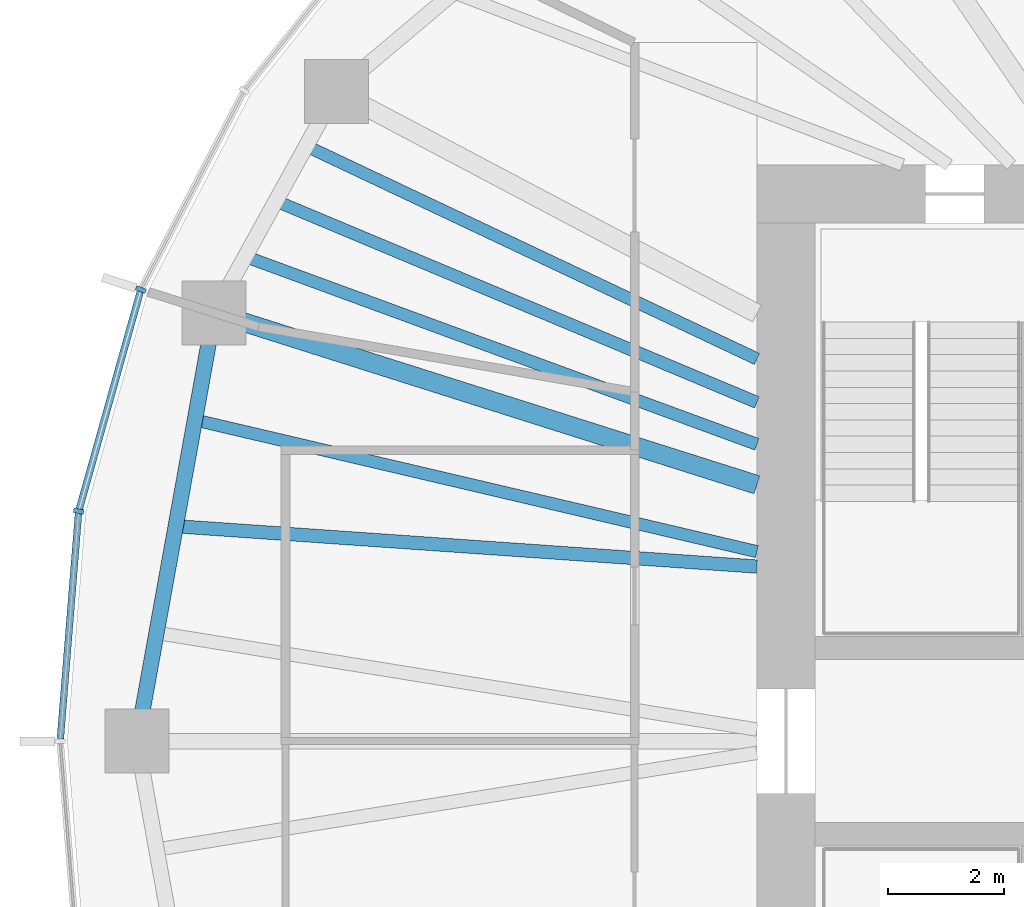
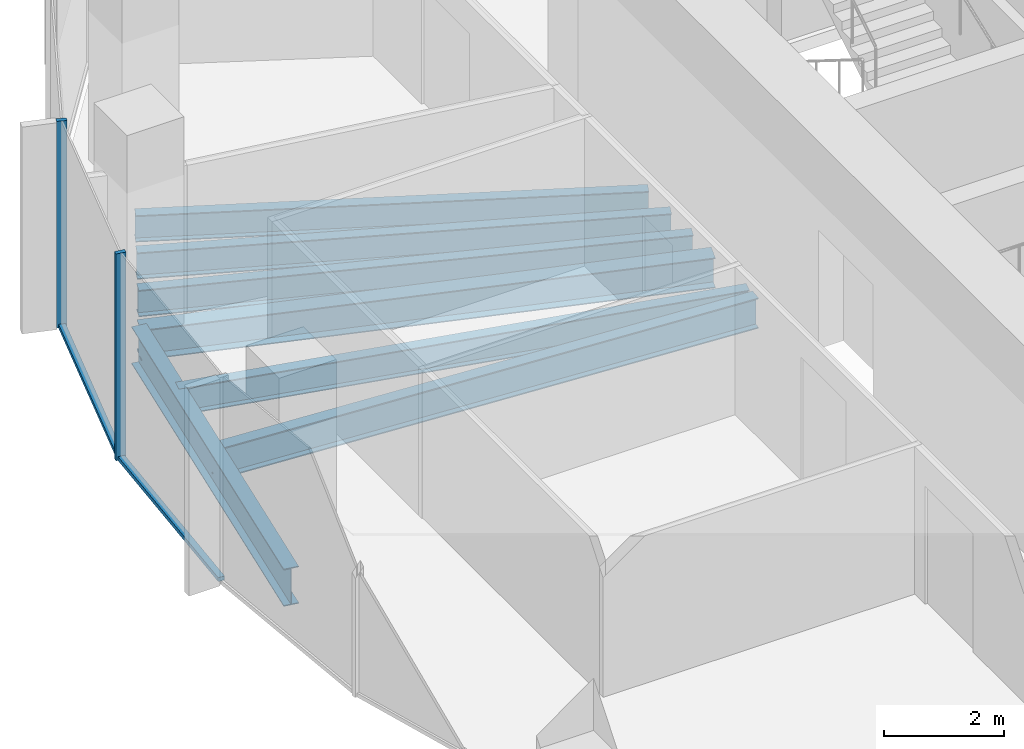
# One storey, part 3 of 11: 7 beams, 4 members, 1 element without a shape of its own.
"""IFC4 building model written with IfcOpenShell, lengths in metres."""

from ifc_helpers import new_model, si_unit, direction, frame, origin, origin_2d, place, context, subcontext, project, spatial, rectangle, i_section, extrude, material, material_profile, profile_set, type_object, element, aggregate, save


model = new_model("IFC4")

# Units and contexts
model_context = context("Model", 3, precision=1e-05, world=origin(), true_north=direction((0.0, 1.0)))
body_context = subcontext(model_context, "Body", "Model", "MODEL_VIEW")
ifc_project = project(units=[si_unit("LENGTHUNIT", "METRE"), si_unit("AREAUNIT", "SQUARE_METRE"), si_unit("VOLUMEUNIT", "CUBIC_METRE"), si_unit("PLANEANGLEUNIT", "RADIAN"), si_unit("MASSUNIT", "GRAM", prefix="KILO")], contexts=[model_context])

# Site, building, storey
site_placement = place(None, origin())
site = spatial("IfcSite", under=ifc_project, at=site_placement, CompositionType="ELEMENT")
building_placement = place(site_placement, origin())
building = spatial("IfcBuilding", under=site, at=building_placement, Name="Ghaith Harvest Tower", CompositionType="ELEMENT")
storey_placement = place(building_placement, frame((0.0, 0.0, 288.0)))
storey = spatial("IfcBuildingStorey", under=building, at=storey_placement, Name="L64", CompositionType="ELEMENT", Elevation=288.0)

# Curtain wall, members
ifc_material_1 = material(Name="Black anodised aluminium and fritted glass", Category="aluminium")
curtain_wall_type = type_object("IfcCurtainWallType", Name="CW-T CURTAIN WALL", PredefinedType="NOTDEFINED", material=ifc_material_1)
curtain_wall_placement = place(storey_placement, origin())
curtain_wall = element("IfcCurtainWall", 1, at=curtain_wall_placement, inside=storey, type_object=curtain_wall_type, Name="Curtain wall CW-T bay 10 L64", PredefinedType="NOTDEFINED")
ifc_material_2 = material(Name="Aluminium, black anodised", Category="aluminium")
ifc_material_profile_1 = material_profile(ifc_material_2, rectangle(XDim=0.080078125, YDim=0.179931640625, at=origin_2d()), Name="CW-T MULLION 80x180")
ifc_profile_set_1 = profile_set([ifc_material_profile_1], Name="Aluminium, black anodised")
member_type_1 = type_object("IfcMemberType", Name="CW-T MULLION 80x180", PredefinedType="MULLION", material=ifc_profile_set_1)
member_1_placement = place(storey_placement, frame((-24.482666015625, 7.759033203125, 0.0), z_axis=(0.0, 0.0, 1.0), x_axis=(-0.366473104961, -0.930428644948, 0.0)))
member_1 = element("IfcMember", 2, at=member_1_placement, type_object=member_type_1, Name="CW-T mullion 1 bay 10 L64", PredefinedType="MULLION", context=body_context, shape_type="SweptSolid", body=[
    extrude(rectangle(XDim=0.080078125, YDim=0.179931640625, at=origin_2d()), origin(), (0.0, 0.0, 1.0), 4.199951171875),
])
member_2_placement = place(storey_placement, frame((-25.5517578125, 3.9521484375, 0.0), z_axis=(0.0, 0.0, 1.0), x_axis=(-0.176001390642, -0.984389917915, 0.0)))
member_2 = element("IfcMember", 3, at=member_2_placement, type_object=member_type_1, Name="CW-T mullion 2 bay 10 L64", PredefinedType="MULLION", context=body_context, shape_type="SweptSolid", body=[
    extrude(rectangle(XDim=0.080078125, YDim=0.179931640625, at=origin_2d()), origin(), (0.0, 0.0, 1.0), 4.199951171875),
])
ifc_material_3 = material(Name="Aluminium, black anodised", Category="aluminium")
ifc_material_profile_2 = material_profile(ifc_material_3, rectangle(XDim=0.1201171875, YDim=0.080078125, at=origin_2d()), Name="CW-T TRANSOM 120x80")
ifc_profile_set_2 = profile_set([ifc_material_profile_2], Name="Aluminium, black anodised")
member_type_2 = type_object("IfcMemberType", Name="CW-T TRANSOM 120x80", PredefinedType="USERDEFINED", material=ifc_profile_set_2)
member_3_placement = place(storey_placement, frame((-24.49365234375, 7.720458984375, 0.0400390625), z_axis=(-0.270340422972, -0.962764797709, 0.0), x_axis=(0.962764797709, -0.270340422972, 0.0)))
member_3 = element("IfcMember", 4, at=member_3_placement, type_object=member_type_2, Name="CW-T transom 1 bay 10 L64", ObjectType="TRANSOM", PredefinedType="USERDEFINED", context=body_context, shape_type="SweptSolid", body=[
    extrude(rectangle(XDim=0.1201171875, YDim=0.080078125, at=origin_2d()), origin(), (0.0, 0.0, 1.0), 3.874267578125),
])
member_4_placement = place(storey_placement, frame((-25.554931640625, 3.912109375, 0.0400390625), z_axis=(-0.08025226314, -0.996774585481, 0.0), x_axis=(0.996774585481, -0.08025226314, 0.0)))
member_4 = element("IfcMember", 5, at=member_4_placement, type_object=member_type_2, Name="CW-T transom 2 bay 10 L64", ObjectType="TRANSOM", PredefinedType="USERDEFINED", context=body_context, shape_type="SweptSolid", body=[
    extrude(rectangle(XDim=0.1201171875, YDim=0.080078125, at=origin_2d()), origin(), (0.0, 0.0, 1.0), 3.884765625),
])
aggregate(curtain_wall, [member_1, member_3, member_2, member_4])

# Beams
ifc_material_4 = material(Name="Steel ASTM A992 Grade 50", Category="steel")
ifc_material_profile_3 = material_profile(ifc_material_4, i_section(OverallWidth=0.26611328125, OverallDepth=0.758056640625, WebThickness=0.013916015625, FlangeThickness=0.019287109375, at=origin_2d()), Name="W760X161")
ifc_profile_set_3 = profile_set([ifc_material_profile_3], Name="Steel ASTM A992 Grade 50")
beam_type_1 = type_object("IfcBeamType", Name="E760-161 W760X161", PredefinedType="SPANDREL", material=ifc_profile_set_3)
beam_1_placement = place(storey_placement, frame((-23.22412109375, 7.360107421875, -0.549072265625), z_axis=(-0.177296554745, -0.984157473007, 0.0), x_axis=(0.984157473007, -0.177296554745, 0.0)))
element("IfcBeam", 6, at=beam_1_placement, inside=storey, type_object=beam_type_1, Name="Edge beam E10 L64", PredefinedType="SPANDREL", context=body_context, shape_type="SweptSolid", body=[
    extrude(i_section(OverallWidth=0.26611328125, OverallDepth=0.758056640625, WebThickness=0.013916015625, FlangeThickness=0.019287109375, at=origin_2d()), origin(), (0.0, 0.0, 1.0), 7.478515625),
])
ifc_material_5 = material(Name="Steel ASTM A992 Grade 50", Category="steel")
ifc_material_profile_4 = material_profile(ifc_material_5, i_section(OverallWidth=0.323974609375, OverallDepth=0.611083984375, WebThickness=0.0126953125, FlangeThickness=0.01904296875, at=origin_2d()), Name="W610X155")
ifc_profile_set_4 = profile_set([ifc_material_profile_4], Name="Steel ASTM A992 Grade 50")
beam_type_2 = type_object("IfcBeamType", Name="G610-155 W610X155", PredefinedType="BEAM", material=ifc_profile_set_4)
beam_2_placement = place(storey_placement, frame((-13.89990234375, 4.4052734375, -0.4755859375), z_axis=(-0.953278508772, 0.302092841215, 0.0), x_axis=(-0.302092841215, -0.953278508772, 0.0)))
element("IfcBeam", 7, at=beam_2_placement, inside=storey, type_object=beam_type_2, Name="Radial girder G10 L64", PredefinedType="BEAM", context=body_context, shape_type="SweptSolid", body=[
    extrude(i_section(OverallWidth=0.323974609375, OverallDepth=0.611083984375, WebThickness=0.0126953125, FlangeThickness=0.01904296875, at=origin_2d()), origin(), (0.0, 0.0, 1.0), 9.78125),
])
ifc_material_6 = material(Name="Steel ASTM A992 Grade 50", Category="steel")
ifc_material_profile_5 = material_profile(ifc_material_6, i_section(OverallWidth=0.2109375, OverallDepth=0.5390625, WebThickness=0.01171875, FlangeThickness=0.018798828125, at=origin_2d()), Name="W530X109")
ifc_profile_set_5 = profile_set([ifc_material_profile_5], Name="Steel ASTM A992 Grade 50")
beam_type_3 = type_object("IfcBeamType", Name="J530-109 W530X109", PredefinedType="JOIST", material=ifc_profile_set_5)
beam_3_placement = place(storey_placement, frame((-13.89990234375, 6.56787109375, -0.439453125), z_axis=(-0.904165769726, 0.427181765594, 0.0), x_axis=(-0.427181765594, -0.904165769726, 0.0)))
element("IfcBeam", 8, at=beam_3_placement, inside=storey, type_object=beam_type_3, Name="Joist J09.1 L64", PredefinedType="JOIST", context=body_context, shape_type="SweptSolid", body=[
    extrude(i_section(OverallWidth=0.2109375, OverallDepth=0.5390625, WebThickness=0.01171875, FlangeThickness=0.018798828125, at=origin_2d()), origin(), (0.0, 0.0, 1.0), 8.564208984375),
])
beam_4_placement = place(storey_placement, frame((-13.89990234375, 5.82080078125, -0.439453125), z_axis=(-0.922394258818, 0.38624970071, 0.0), x_axis=(-0.38624970071, -0.922394258818, 0.0)))
element("IfcBeam", 9, at=beam_4_placement, inside=storey, type_object=beam_type_3, Name="Joist J09.2 L64", PredefinedType="JOIST", context=body_context, shape_type="SweptSolid", body=[
    extrude(i_section(OverallWidth=0.2109375, OverallDepth=0.5390625, WebThickness=0.01171875, FlangeThickness=0.018798828125, at=origin_2d()), origin(), (0.0, 0.0, 1.0), 8.959716796875),
])
beam_5_placement = place(storey_placement, frame((-13.89990234375, 5.101318359375, -0.439453125), z_axis=(-0.938776837502, 0.34452583266, 0.0), x_axis=(-0.34452583266, -0.938776837502, 0.0)))
element("IfcBeam", 10, at=beam_5_placement, inside=storey, type_object=beam_type_3, Name="Joist J09.3 L64", PredefinedType="JOIST", context=body_context, shape_type="SweptSolid", body=[
    extrude(i_section(OverallWidth=0.2109375, OverallDepth=0.5390625, WebThickness=0.01171875, FlangeThickness=0.018798828125, at=origin_2d()), origin(), (0.0, 0.0, 1.0), 9.36376953125),
])
beam_6_placement = place(storey_placement, frame((-13.89990234375, 3.257080078125, -0.439453125), z_axis=(-0.973623403271, 0.228161058472, 0.0), x_axis=(-0.228161058472, -0.973623403271, 0.0)))
element("IfcBeam", 11, at=beam_6_placement, inside=storey, type_object=beam_type_3, Name="Joist J10.1 L64", PredefinedType="JOIST", context=body_context, shape_type="SweptSolid", body=[
    extrude(i_section(OverallWidth=0.2109375, OverallDepth=0.5390625, WebThickness=0.01171875, FlangeThickness=0.018798828125, at=origin_2d()), origin(), (0.0, 0.0, 1.0), 9.9169921875),
])
ifc_material_7 = material(Name="Steel ASTM A992 Grade 50", Category="steel")
ifc_material_profile_6 = material_profile(ifc_material_7, i_section(OverallWidth=0.22998046875, OverallDepth=0.616943359375, WebThickness=0.01318359375, FlangeThickness=0.022216796875, at=origin_2d()), Name="W610X140")
ifc_profile_set_6 = profile_set([ifc_material_profile_6], Name="Steel ASTM A992 Grade 50")
beam_type_4 = type_object("IfcBeamType", Name="J610-140 W610X140", PredefinedType="JOIST", material=ifc_profile_set_6)
beam_7_placement = place(storey_placement, frame((-13.89990234375, 3.0, -0.478515625), z_axis=(-0.997592478057, 0.069348739886, 0.0), x_axis=(-0.069348739886, -0.997592478057, 0.0)))
element("IfcBeam", 12, at=beam_7_placement, inside=storey, type_object=beam_type_4, Name="Joist J10.2 L64", PredefinedType="JOIST", context=body_context, shape_type="SweptSolid", body=[
    extrude(i_section(OverallWidth=0.22998046875, OverallDepth=0.616943359375, WebThickness=0.01318359375, FlangeThickness=0.022216796875, at=origin_2d()), origin(), (0.0, 0.0, 1.0), 10.0087890625),
])

save(model, "model.ifc")
